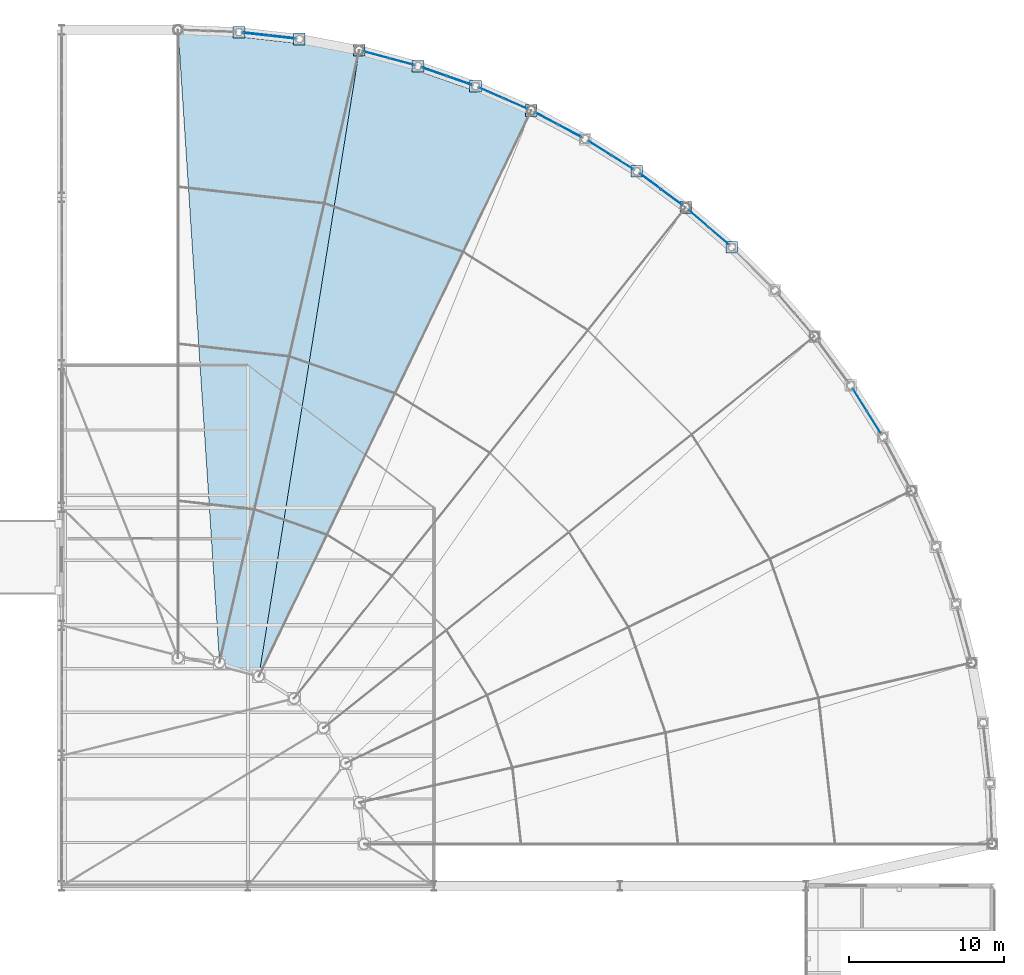
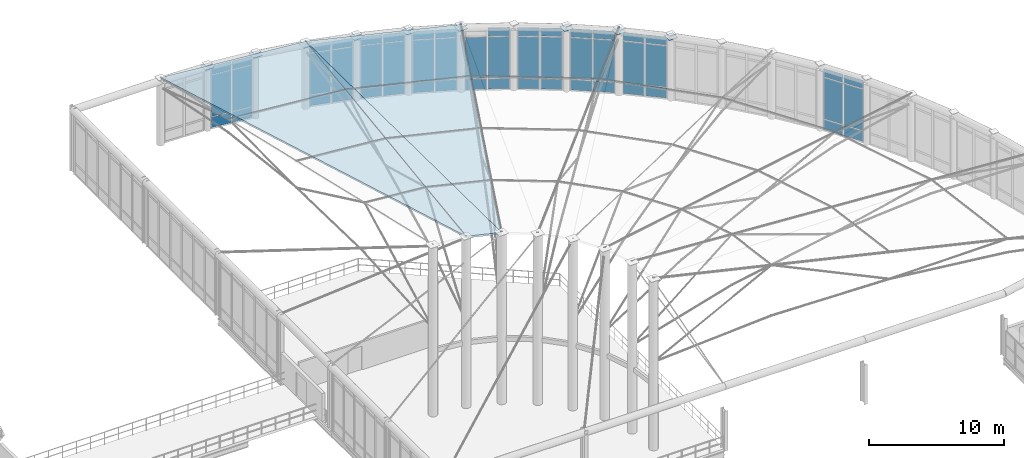
# One storey, part 73 of 101: 62 plates, 3 slabs, 10 elements without a shape of their own.
"""IFC4 building model written with IfcOpenShell, lengths in metres."""

import ifcopenshell
import ifcopenshell.guid

model = None  # the IFC model being written
_history = None  # IfcOwnerHistory: only IFC2X3 demands one
_inside = {}  # id of a spatial element -> (the spatial element, [elements in it])
_under = {}  # id of a project, library or spatial element -> (it, [spatial elements below it])
_declared = {}  # id of a project -> (the project, [libraries it declares])
_typed = {}  # id of a type object -> (the type object, [elements of that type])
_made_of = {}  # id of a material, layer set ... -> (it, [elements and type objects made of it])


def new_model(schema):
    """Start an empty IFC model of exactly this schema.

    Asked for "IFC4X3", IfcOpenShell would pick the latest addendum, in which some entities
    have other attributes; the version numbers below select the first issue.
    IFC2X3 requires an IfcOwnerHistory on every rooted entity: one is made here for all.
    """
    global model, _history
    if schema == "IFC4X3":
        model = ifcopenshell.file(schema_version=(4, 3, 0, 0))
    else:
        model = ifcopenshell.file(schema=schema)
    _inside.clear()
    _under.clear()
    _declared.clear()
    _typed.clear()
    _made_of.clear()
    _history = None
    if model.schema == "IFC2X3":
        org = make("IfcOrganization", Name="unknown")
        user = make(
            "IfcPersonAndOrganization",
            ThePerson=make("IfcPerson", FamilyName="unknown"),
            TheOrganization=org,
        )
        app = make(
            "IfcApplication",
            ApplicationDeveloper=org,
            Version="unknown",
            ApplicationFullName="unknown",
            ApplicationIdentifier="unknown",
        )
        _history = make(
            "IfcOwnerHistory",
            OwningUser=user,
            OwningApplication=app,
            ChangeAction="ADDED",
            CreationDate=0,
        )
    return model


def make(cls, **values):
    """One entity of the class cls with the attributes given. An attribute that is None is left unset."""
    return model.create_entity(
        cls, **{name: value for name, value in values.items() if value is not None}
    )


def rooted(cls, **values):
    """An entity with a GlobalId (a new one), such as an element, a storey or a relation."""
    return make(cls, GlobalId=ifcopenshell.guid.new(), OwnerHistory=_history, **values)


def si_unit(unit_type, name, prefix=None):
    """IfcSIUnit, for example si_unit("LENGTHUNIT", "METRE", prefix="MILLI")."""
    return make("IfcSIUnit", UnitType=unit_type, Prefix=prefix, Name=name)


def assignment(units):
    """IfcUnitAssignment: the units of a project."""
    return None if units is None else make("IfcUnitAssignment", Units=units)


def point(xyz):
    """IfcCartesianPoint."""
    return None if xyz is None else make("IfcCartesianPoint", Coordinates=xyz)


def direction(xyz):
    """IfcDirection."""
    return None if xyz is None else make("IfcDirection", DirectionRatios=xyz)


def frame(location, z_axis=None, x_axis=None):
    """IfcAxis2Placement3D, a coordinate frame: its origin and axes. An axis left out is left unset."""
    return make(
        "IfcAxis2Placement3D",
        Location=point(location),
        Axis=direction(z_axis),
        RefDirection=direction(x_axis),
    )


def frame_2d(location, x_axis=None):
    """IfcAxis2Placement2D, a coordinate frame in the plane: its origin and x axis."""
    return make(
        "IfcAxis2Placement2D", Location=point(location), RefDirection=direction(x_axis)
    )


def origin():
    """The frame at (0, 0, 0) with its axes left unset."""
    return frame((0.0, 0.0, 0.0))


def origin_2d():
    """The frame at (0, 0) in the plane with its x axis left unset."""
    return frame_2d((0.0, 0.0))


def place(relative_to, where):
    """IfcLocalPlacement: puts the frame where relative to a parent placement (None: the world)."""
    return make(
        "IfcLocalPlacement", PlacementRelTo=relative_to, RelativePlacement=where
    )


def context(
    kind, dimensions, precision=None, world=None, true_north=None, identifier=None
):
    """IfcGeometricRepresentationContext, for example the 3D "Model" context."""
    return make(
        "IfcGeometricRepresentationContext",
        ContextIdentifier=identifier,
        ContextType=kind,
        CoordinateSpaceDimension=dimensions,
        Precision=precision,
        WorldCoordinateSystem=world,
        TrueNorth=true_north,
    )


def subcontext(parent, identifier, kind, view, scale=None):
    """IfcGeometricRepresentationSubContext, for example "Body" below "Model"."""
    return make(
        "IfcGeometricRepresentationSubContext",
        ContextIdentifier=identifier,
        ContextType=kind,
        ParentContext=parent,
        TargetScale=scale,
        TargetView=view,
    )


def project(units=None, contexts=None):
    """IfcProject with its units and contexts."""
    return rooted(
        "IfcProject",
        Name="project",
        RepresentationContexts=contexts,
        UnitsInContext=assignment(units),
    )


def spatial(cls, under=None, at=None, **own):
    """A site, building, storey or space (cls), placed at a placement, below another one or the project."""
    s = rooted(cls, ObjectPlacement=at, **own)
    if under is not None:
        _under.setdefault(under.id(), (under, []))[1].append(s)
    return s


def polyline(points):
    """IfcPolyline through the points."""
    return make("IfcPolyline", Points=[point(p) for p in points])


def profile(cls, at=None, kind="AREA", **sizes):
    """A parametric profile (cls). Its sizes go by their IFC names, for example OverallWidth=200.0."""
    return make(cls, ProfileType=kind, Position=at, **sizes)


def rectangle(**sizes):
    """IfcRectangleProfileDef."""
    return profile("IfcRectangleProfileDef", **sizes)


def outline(outer, holes=None, kind="AREA"):
    """IfcArbitraryClosedProfileDef: a profile drawn as a closed curve; with holes, ...WithVoids."""
    if holes is None:
        return make("IfcArbitraryClosedProfileDef", ProfileType=kind, OuterCurve=outer)
    return make(
        "IfcArbitraryProfileDefWithVoids",
        ProfileType=kind,
        OuterCurve=outer,
        InnerCurves=holes,
    )


def extrude(swept, where, along, depth):
    """IfcExtrudedAreaSolid: the profile swept, set in the frame where, extruded along a direction by depth."""
    return make(
        "IfcExtrudedAreaSolid",
        SweptArea=swept,
        Position=where,
        ExtrudedDirection=direction(along),
        Depth=depth,
    )


def shape(context_of_items, identifier, shape_type, items):
    """IfcShapeRepresentation: the items that make up one representation, for example the "Body"."""
    return make(
        "IfcShapeRepresentation",
        ContextOfItems=context_of_items,
        RepresentationIdentifier=identifier,
        RepresentationType=shape_type,
        Items=items,
    )


def material(Name=None, Category=None):
    """IfcMaterial."""
    return make("IfcMaterial", Name=Name, Category=Category)


def layer(
    of_material, thickness, ventilated=None, Name=None, Category=None, Priority=None
):
    """IfcMaterialLayer: one layer of a wall or slab, of a material (None: an air gap)."""
    return make(
        "IfcMaterialLayer",
        Material=of_material,
        LayerThickness=thickness,
        IsVentilated=ventilated,
        Name=Name,
        Category=Category,
        Priority=Priority,
    )


def layer_set(layers, Name=None):
    """IfcMaterialLayerSet."""
    return make("IfcMaterialLayerSet", MaterialLayers=layers, LayerSetName=Name)


def made_of(thing, what):
    """Note that an element or type object is made of a material, layer set ...; save() writes the relation."""
    if what is not None:
        _made_of.setdefault(what.id(), (what, []))[1].append(thing)
    return thing


def type_object(cls, material=None, **own):
    """A type object (cls), such as IfcWallType, which elements share."""
    return made_of(rooted(cls, **own), material)


def element(
    cls,
    number,
    at=None,
    inside=None,
    cuts=None,
    type_object=None,
    material=None,
    context=None,
    identifier="Body",
    shape_type=None,
    held_by="IfcProductDefinitionShape",
    body=None,
    shapes=None,
    **own,
):
    """One element of the class cls, such as IfcWall. Its Tag is "e" and its number.

    at: its placement. inside: the storey or other place that contains it. cuts: it is an
    opening in that element (IfcRelVoidsElement). A single representation is given by context,
    identifier, shape_type and body (its items); several are given by shapes. held_by: the class
    of the entity that holds the representations. save() writes the other relations.
    """
    e = rooted(cls, Tag="e%d" % number, ObjectPlacement=at, **own)
    if body is not None:
        shapes = [shape(context, identifier, shape_type, body)]
    if shapes is not None:
        e.Representation = make(held_by, Representations=shapes)
    if inside is not None:
        _inside.setdefault(inside.id(), (inside, []))[1].append(e)
    if cuts is not None:
        rooted(
            "IfcRelVoidsElement", RelatingBuildingElement=cuts, RelatedOpeningElement=e
        )
    if type_object is not None:
        _typed.setdefault(type_object.id(), (type_object, []))[1].append(e)
    return made_of(e, material)


def aggregate(whole, parts):
    """IfcRelAggregates: a whole, such as a stair, and the parts it consists of."""
    return rooted("IfcRelAggregates", RelatingObject=whole, RelatedObjects=parts)


def save(model, path):
    """Write the relations noted so far, then the file.

    IfcRelAggregates (storeys below a building ...), IfcRelContainedInSpatialStructure (elements
    in a storey), IfcRelDefinesByType, IfcRelAssociatesMaterial and IfcRelDeclares: one each for
    every whole, place, type object, material and project.
    """
    for whole, parts in _under.values():
        aggregate(whole, parts)
    for where, things in _inside.values():
        rooted(
            "IfcRelContainedInSpatialStructure",
            RelatedElements=things,
            RelatingStructure=where,
        )
    for kind, things in _typed.values():
        rooted("IfcRelDefinesByType", RelatedObjects=things, RelatingType=kind)
    for what, things in _made_of.values():
        rooted("IfcRelAssociatesMaterial", RelatedObjects=things, RelatingMaterial=what)
    for by, libraries in _declared.values():
        rooted("IfcRelDeclares", RelatingContext=by, RelatedDefinitions=libraries)
    model.write(path)


model = new_model("IFC4")

# Units and contexts
model_context = context("Model", 3, precision=1e-05, world=origin(), true_north=direction((0.0, 1.0)))
body_context = subcontext(model_context, "Body", "Model", "MODEL_VIEW")
ifc_project = project(units=[si_unit("LENGTHUNIT", "METRE"), si_unit("AREAUNIT", "SQUARE_METRE"), si_unit("VOLUMEUNIT", "CUBIC_METRE"), si_unit("PLANEANGLEUNIT", "RADIAN"), si_unit("MASSUNIT", "GRAM", prefix="KILO"), si_unit("THERMODYNAMICTEMPERATUREUNIT", "KELVIN"), si_unit("POWERUNIT", "WATT")], contexts=[model_context])

# Site, building, storey
site_placement = place(None, origin())
site = spatial("IfcSite", under=ifc_project, at=site_placement, CompositionType="ELEMENT")
building_placement = place(site_placement, origin())
building = spatial("IfcBuilding", under=site, at=building_placement, Name="Tembeka Court Mobility Hub", CompositionType="ELEMENT")
storey_placement = place(building_placement, frame((0.0, 0.0, 5.39990234375)))
storey = spatial("IfcBuildingStorey", under=building, at=storey_placement, Name="L01", CompositionType="ELEMENT", Elevation=5.39990234375)

# Curtain wall, plates
ifc_material_1 = material(Name="Anodised aluminium 6063-T6", Category="aluminium")
ifc_layer_1 = layer(ifc_material_1, 0.199951171875)
ifc_layer_set_1 = layer_set([ifc_layer_1], Name="Anodised aluminium 6063-T6")
curtain_wall_type = type_object("IfcCurtainWallType", Name="CW-SYS25", PredefinedType="USERDEFINED", material=ifc_layer_set_1)
curtain_wall_1_placement = place(storey_placement, origin())
curtain_wall_1 = element("IfcCurtainWall", 1, at=curtain_wall_1_placement, inside=storey, type_object=curtain_wall_type, Name="Unitised curtain wall CW25 (CW-L01-058)", ObjectType="UNITISED GLAZING", PredefinedType="USERDEFINED")
ifc_material_2 = material(Name="Laminated solar-control low-E glass", Category="glass")
ifc_layer_2 = layer(ifc_material_2, 0.028076171875)
ifc_layer_set_2 = layer_set([ifc_layer_2], Name="Laminated solar-control low-E glass")
plate_type_1 = type_object("IfcPlateType", Name="PL-CW01", PredefinedType="CURTAIN_PANEL", material=ifc_layer_set_2)
plate_1_placement = place(storey_placement, frame((168.775634765625, 93.489990234375, 0.0751953125), z_axis=(0.0, 0.0, 1.0), x_axis=(-0.532057570744, 0.846708179607, 0.0)))
plate_1 = element("IfcPlate", 2, at=plate_1_placement, type_object=plate_type_1, Name="CW25 panel 1.1", PredefinedType="CURTAIN_PANEL", context=body_context, shape_type="SweptSolid", body=[
    extrude(rectangle(XDim=1.630615234375, YDim=0.028076171875, at=origin_2d()), origin(), (0.0, 0.0, 1.0), 0.9375),
])
plate_2_placement = place(storey_placement, frame((168.775634765625, 93.489990234375, 1.087646484375), z_axis=(0.0, 0.0, 1.0), x_axis=(-0.532057570744, 0.846708179607, 0.0)))
plate_2 = element("IfcPlate", 3, at=plate_2_placement, type_object=plate_type_1, Name="CW25 panel 1.2", PredefinedType="CURTAIN_PANEL", context=body_context, shape_type="SweptSolid", body=[
    extrude(rectangle(XDim=1.630615234375, YDim=0.028076171875, at=origin_2d()), origin(), (0.0, 0.0, 1.0), 3.72509765625),
])
plate_3_placement = place(storey_placement, frame((168.775634765625, 93.489990234375, 4.8876953125), z_axis=(0.0, 0.0, 1.0), x_axis=(-0.532057570744, 0.846708179607, 0.0)))
plate_3 = element("IfcPlate", 4, at=plate_3_placement, type_object=plate_type_1, Name="CW25 panel 1.3", PredefinedType="CURTAIN_PANEL", context=body_context, shape_type="SweptSolid", body=[
    extrude(rectangle(XDim=1.630615234375, YDim=0.028076171875, at=origin_2d()), origin(), (0.0, 0.0, 1.0), 0.737548828125),
])
plate_4_placement = place(storey_placement, frame((167.8681640625, 94.93408203125, 0.0751953125), z_axis=(0.0, 0.0, 1.0), x_axis=(-0.532057570744, 0.846708179607, 0.0)))
plate_4 = element("IfcPlate", 5, at=plate_4_placement, type_object=plate_type_1, Name="CW25 panel 2.1", PredefinedType="CURTAIN_PANEL", context=body_context, shape_type="SweptSolid", body=[
    extrude(rectangle(XDim=1.630615234375, YDim=0.028076171875, at=origin_2d()), origin(), (0.0, 0.0, 1.0), 0.9375),
])
plate_5_placement = place(storey_placement, frame((167.8681640625, 94.93408203125, 1.087646484375), z_axis=(0.0, 0.0, 1.0), x_axis=(-0.532057570744, 0.846708179607, 0.0)))
plate_5 = element("IfcPlate", 6, at=plate_5_placement, type_object=plate_type_1, Name="CW25 panel 2.2", PredefinedType="CURTAIN_PANEL", context=body_context, shape_type="SweptSolid", body=[
    extrude(rectangle(XDim=1.630615234375, YDim=0.028076171875, at=origin_2d()), origin(), (0.0, 0.0, 1.0), 3.72509765625),
])
plate_6_placement = place(storey_placement, frame((167.8681640625, 94.93408203125, 4.8876953125), z_axis=(0.0, 0.0, 1.0), x_axis=(-0.532057570744, 0.846708179607, 0.0)))
plate_6 = element("IfcPlate", 7, at=plate_6_placement, type_object=plate_type_1, Name="CW25 panel 2.3", PredefinedType="CURTAIN_PANEL", context=body_context, shape_type="SweptSolid", body=[
    extrude(rectangle(XDim=1.630615234375, YDim=0.028076171875, at=origin_2d()), origin(), (0.0, 0.0, 1.0), 0.737548828125),
])
aggregate(curtain_wall_1, [plate_1, plate_2, plate_3, plate_4, plate_5, plate_6])

curtain_wall_2_placement = place(storey_placement, origin())
curtain_wall_2 = element("IfcCurtainWall", 8, at=curtain_wall_2_placement, inside=storey, type_object=curtain_wall_type, Name="Unitised curtain wall CW25 (CW-L01-066)", ObjectType="UNITISED GLAZING", PredefinedType="USERDEFINED")
plate_7_placement = place(storey_placement, frame((158.767578125, 105.509521484375, 0.0751953125), z_axis=(0.0, 0.0, 1.0), x_axis=(-0.757955131428, 0.652306690707, 0.0)))
plate_7 = element("IfcPlate", 9, at=plate_7_placement, type_object=plate_type_1, Name="CW25 panel 1.1", PredefinedType="CURTAIN_PANEL", context=body_context, shape_type="SweptSolid", body=[
    extrude(rectangle(XDim=1.630615234375, YDim=0.028076171875, at=origin_2d()), origin(), (0.0, 0.0, 1.0), 0.9375),
])
plate_8_placement = place(storey_placement, frame((158.767578125, 105.509521484375, 1.087646484375), z_axis=(0.0, 0.0, 1.0), x_axis=(-0.757955131428, 0.652306690707, 0.0)))
plate_8 = element("IfcPlate", 10, at=plate_8_placement, type_object=plate_type_1, Name="CW25 panel 1.2", PredefinedType="CURTAIN_PANEL", context=body_context, shape_type="SweptSolid", body=[
    extrude(rectangle(XDim=1.630615234375, YDim=0.028076171875, at=origin_2d()), origin(), (0.0, 0.0, 1.0), 3.72509765625),
])
plate_9_placement = place(storey_placement, frame((158.767578125, 105.509521484375, 4.8876953125), z_axis=(0.0, 0.0, 1.0), x_axis=(-0.757955131428, 0.652306690707, 0.0)))
plate_9 = element("IfcPlate", 11, at=plate_9_placement, type_object=plate_type_1, Name="CW25 panel 1.3", PredefinedType="CURTAIN_PANEL", context=body_context, shape_type="SweptSolid", body=[
    extrude(rectangle(XDim=1.630615234375, YDim=0.028076171875, at=origin_2d()), origin(), (0.0, 0.0, 1.0), 0.737548828125),
])
plate_10_placement = place(storey_placement, frame((157.474853515625, 106.6220703125, 0.0751953125), z_axis=(0.0, 0.0, 1.0), x_axis=(-0.757955131428, 0.652306690707, 0.0)))
plate_10 = element("IfcPlate", 12, at=plate_10_placement, type_object=plate_type_1, Name="CW25 panel 2.1", PredefinedType="CURTAIN_PANEL", context=body_context, shape_type="SweptSolid", body=[
    extrude(rectangle(XDim=1.630615234375, YDim=0.028076171875, at=origin_2d()), origin(), (0.0, 0.0, 1.0), 0.9375),
])
plate_11_placement = place(storey_placement, frame((157.474853515625, 106.6220703125, 1.087646484375), z_axis=(0.0, 0.0, 1.0), x_axis=(-0.757955131428, 0.652306690707, 0.0)))
plate_11 = element("IfcPlate", 13, at=plate_11_placement, type_object=plate_type_1, Name="CW25 panel 2.2", PredefinedType="CURTAIN_PANEL", context=body_context, shape_type="SweptSolid", body=[
    extrude(rectangle(XDim=1.630615234375, YDim=0.028076171875, at=origin_2d()), origin(), (0.0, 0.0, 1.0), 3.72509765625),
])
plate_12_placement = place(storey_placement, frame((157.474853515625, 106.6220703125, 4.8876953125), z_axis=(0.0, 0.0, 1.0), x_axis=(-0.757955131428, 0.652306690707, 0.0)))
plate_12 = element("IfcPlate", 14, at=plate_12_placement, type_object=plate_type_1, Name="CW25 panel 2.3", PredefinedType="CURTAIN_PANEL", context=body_context, shape_type="SweptSolid", body=[
    extrude(rectangle(XDim=1.630615234375, YDim=0.028076171875, at=origin_2d()), origin(), (0.0, 0.0, 1.0), 0.737548828125),
])
aggregate(curtain_wall_2, [plate_7, plate_8, plate_9, plate_10, plate_11, plate_12])

curtain_wall_3_placement = place(storey_placement, origin())
curtain_wall_3 = element("IfcCurtainWall", 15, at=curtain_wall_3_placement, inside=storey, type_object=curtain_wall_type, Name="Unitised curtain wall CW25 (CW-L01-070)", ObjectType="UNITISED GLAZING", PredefinedType="USERDEFINED")
plate_13_placement = place(storey_placement, frame((152.5341796875, 110.26806640625, 0.0751953125), z_axis=(0.0, 0.0, 1.0), x_axis=(-0.846708179607, 0.532057570744, 0.0)))
plate_13 = element("IfcPlate", 16, at=plate_13_placement, type_object=plate_type_1, Name="CW25 panel 1.1", PredefinedType="CURTAIN_PANEL", context=body_context, shape_type="SweptSolid", body=[
    extrude(rectangle(XDim=1.630615234375, YDim=0.028076171875, at=origin_2d()), origin(), (0.0, 0.0, 1.0), 0.9375),
])
plate_14_placement = place(storey_placement, frame((152.5341796875, 110.26806640625, 1.087646484375), z_axis=(0.0, 0.0, 1.0), x_axis=(-0.846708179607, 0.532057570744, 0.0)))
plate_14 = element("IfcPlate", 17, at=plate_14_placement, type_object=plate_type_1, Name="CW25 panel 1.2", PredefinedType="CURTAIN_PANEL", context=body_context, shape_type="SweptSolid", body=[
    extrude(rectangle(XDim=1.630615234375, YDim=0.028076171875, at=origin_2d()), origin(), (0.0, 0.0, 1.0), 3.72509765625),
])
plate_15_placement = place(storey_placement, frame((152.5341796875, 110.26806640625, 4.8876953125), z_axis=(0.0, 0.0, 1.0), x_axis=(-0.846708179607, 0.532057570744, 0.0)))
plate_15 = element("IfcPlate", 18, at=plate_15_placement, type_object=plate_type_1, Name="CW25 panel 1.3", PredefinedType="CURTAIN_PANEL", context=body_context, shape_type="SweptSolid", body=[
    extrude(rectangle(XDim=1.630615234375, YDim=0.028076171875, at=origin_2d()), origin(), (0.0, 0.0, 1.0), 0.737548828125),
])
plate_16_placement = place(storey_placement, frame((151.090087890625, 111.175537109375, 0.0751953125), z_axis=(0.0, 0.0, 1.0), x_axis=(-0.846708179607, 0.532057570744, 0.0)))
plate_16 = element("IfcPlate", 19, at=plate_16_placement, type_object=plate_type_1, Name="CW25 panel 2.1", PredefinedType="CURTAIN_PANEL", context=body_context, shape_type="SweptSolid", body=[
    extrude(rectangle(XDim=1.630615234375, YDim=0.028076171875, at=origin_2d()), origin(), (0.0, 0.0, 1.0), 0.9375),
])
plate_17_placement = place(storey_placement, frame((151.090087890625, 111.175537109375, 1.087646484375), z_axis=(0.0, 0.0, 1.0), x_axis=(-0.846708179607, 0.532057570744, 0.0)))
plate_17 = element("IfcPlate", 20, at=plate_17_placement, type_object=plate_type_1, Name="CW25 panel 2.2", PredefinedType="CURTAIN_PANEL", context=body_context, shape_type="SweptSolid", body=[
    extrude(rectangle(XDim=1.630615234375, YDim=0.028076171875, at=origin_2d()), origin(), (0.0, 0.0, 1.0), 3.72509765625),
])
plate_18_placement = place(storey_placement, frame((151.090087890625, 111.175537109375, 4.8876953125), z_axis=(0.0, 0.0, 1.0), x_axis=(-0.846708179607, 0.532057570744, 0.0)))
plate_18 = element("IfcPlate", 21, at=plate_18_placement, type_object=plate_type_1, Name="CW25 panel 2.3", PredefinedType="CURTAIN_PANEL", context=body_context, shape_type="SweptSolid", body=[
    extrude(rectangle(XDim=1.630615234375, YDim=0.028076171875, at=origin_2d()), origin(), (0.0, 0.0, 1.0), 0.737548828125),
])
aggregate(curtain_wall_3, [plate_13, plate_14, plate_15, plate_16, plate_17, plate_18])

curtain_wall_4_placement = place(storey_placement, origin())
curtain_wall_4 = element("IfcCurtainWall", 22, at=curtain_wall_4_placement, inside=storey, type_object=curtain_wall_type, Name="Unitised curtain wall CW25 (CW-L01-074)", ObjectType="UNITISED GLAZING", PredefinedType="USERDEFINED")
plate_19_placement = place(storey_placement, frame((145.661376953125, 114.044921875, 0.0751953125), z_axis=(0.0, 0.0, 1.0), x_axis=(-0.916572258286, 0.399869097757, 0.0)))
plate_19 = element("IfcPlate", 23, at=plate_19_placement, type_object=plate_type_1, Name="CW25 panel 1.1", PredefinedType="CURTAIN_PANEL", context=body_context, shape_type="SweptSolid", body=[
    extrude(rectangle(XDim=1.630615234375, YDim=0.028076171875, at=origin_2d()), origin(), (0.0, 0.0, 1.0), 0.9375),
])
plate_20_placement = place(storey_placement, frame((145.661376953125, 114.044921875, 1.087646484375), z_axis=(0.0, 0.0, 1.0), x_axis=(-0.916572258286, 0.399869097757, 0.0)))
plate_20 = element("IfcPlate", 24, at=plate_20_placement, type_object=plate_type_1, Name="CW25 panel 1.2", PredefinedType="CURTAIN_PANEL", context=body_context, shape_type="SweptSolid", body=[
    extrude(rectangle(XDim=1.630615234375, YDim=0.028076171875, at=origin_2d()), origin(), (0.0, 0.0, 1.0), 3.72509765625),
])
plate_21_placement = place(storey_placement, frame((145.661376953125, 114.044921875, 4.8876953125), z_axis=(0.0, 0.0, 1.0), x_axis=(-0.916572258286, 0.399869097757, 0.0)))
plate_21 = element("IfcPlate", 25, at=plate_21_placement, type_object=plate_type_1, Name="CW25 panel 1.3", PredefinedType="CURTAIN_PANEL", context=body_context, shape_type="SweptSolid", body=[
    extrude(rectangle(XDim=1.630615234375, YDim=0.028076171875, at=origin_2d()), origin(), (0.0, 0.0, 1.0), 0.737548828125),
])
plate_22_placement = place(storey_placement, frame((144.097900390625, 114.726806640625, 0.0751953125), z_axis=(0.0, 0.0, 1.0), x_axis=(-0.916572258286, 0.399869097757, 0.0)))
plate_22 = element("IfcPlate", 26, at=plate_22_placement, type_object=plate_type_1, Name="CW25 panel 2.1", PredefinedType="CURTAIN_PANEL", context=body_context, shape_type="SweptSolid", body=[
    extrude(rectangle(XDim=1.630615234375, YDim=0.028076171875, at=origin_2d()), origin(), (0.0, 0.0, 1.0), 0.9375),
])
plate_23_placement = place(storey_placement, frame((144.097900390625, 114.726806640625, 1.087646484375), z_axis=(0.0, 0.0, 1.0), x_axis=(-0.916572258286, 0.399869097757, 0.0)))
plate_23 = element("IfcPlate", 27, at=plate_23_placement, type_object=plate_type_1, Name="CW25 panel 2.2", PredefinedType="CURTAIN_PANEL", context=body_context, shape_type="SweptSolid", body=[
    extrude(rectangle(XDim=1.630615234375, YDim=0.028076171875, at=origin_2d()), origin(), (0.0, 0.0, 1.0), 3.72509765625),
])
plate_24_placement = place(storey_placement, frame((144.097900390625, 114.726806640625, 4.8876953125), z_axis=(0.0, 0.0, 1.0), x_axis=(-0.916572258286, 0.399869097757, 0.0)))
plate_24 = element("IfcPlate", 28, at=plate_24_placement, type_object=plate_type_1, Name="CW25 panel 2.3", PredefinedType="CURTAIN_PANEL", context=body_context, shape_type="SweptSolid", body=[
    extrude(rectangle(XDim=1.630615234375, YDim=0.028076171875, at=origin_2d()), origin(), (0.0, 0.0, 1.0), 0.737548828125),
])
aggregate(curtain_wall_4, [plate_19, plate_20, plate_21, plate_22, plate_23, plate_24])

curtain_wall_5_placement = place(storey_placement, origin())
curtain_wall_5 = element("IfcCurtainWall", 29, at=curtain_wall_5_placement, inside=storey, type_object=curtain_wall_type, Name="Unitised curtain wall CW25 (CW-L01-078)", ObjectType="UNITISED GLAZING", PredefinedType="USERDEFINED")
plate_25_placement = place(storey_placement, frame((138.30224609375, 116.7548828125, 0.0751953125), z_axis=(0.0, 0.0, 1.0), x_axis=(-0.96592333891, 0.258828327951, 0.0)))
plate_25 = element("IfcPlate", 30, at=plate_25_placement, type_object=plate_type_1, Name="CW25 panel 1.1", PredefinedType="CURTAIN_PANEL", context=body_context, shape_type="SweptSolid", body=[
    extrude(rectangle(XDim=1.630615234375, YDim=0.028076171875, at=origin_2d()), origin(), (0.0, 0.0, 1.0), 0.9375),
])
plate_26_placement = place(storey_placement, frame((138.30224609375, 116.7548828125, 1.087646484375), z_axis=(0.0, 0.0, 1.0), x_axis=(-0.96592333891, 0.258828327951, 0.0)))
plate_26 = element("IfcPlate", 31, at=plate_26_placement, type_object=plate_type_1, Name="CW25 panel 1.2", PredefinedType="CURTAIN_PANEL", context=body_context, shape_type="SweptSolid", body=[
    extrude(rectangle(XDim=1.630615234375, YDim=0.028076171875, at=origin_2d()), origin(), (0.0, 0.0, 1.0), 3.72509765625),
])
plate_27_placement = place(storey_placement, frame((138.30224609375, 116.7548828125, 4.8876953125), z_axis=(0.0, 0.0, 1.0), x_axis=(-0.96592333891, 0.258828327951, 0.0)))
plate_27 = element("IfcPlate", 32, at=plate_27_placement, type_object=plate_type_1, Name="CW25 panel 1.3", PredefinedType="CURTAIN_PANEL", context=body_context, shape_type="SweptSolid", body=[
    extrude(rectangle(XDim=1.630615234375, YDim=0.028076171875, at=origin_2d()), origin(), (0.0, 0.0, 1.0), 0.737548828125),
])
plate_28_placement = place(storey_placement, frame((136.65478515625, 117.1962890625, 0.0751953125), z_axis=(0.0, 0.0, 1.0), x_axis=(-0.96592333891, 0.258828327951, 0.0)))
plate_28 = element("IfcPlate", 33, at=plate_28_placement, type_object=plate_type_1, Name="CW25 panel 2.1", PredefinedType="CURTAIN_PANEL", context=body_context, shape_type="SweptSolid", body=[
    extrude(rectangle(XDim=1.630615234375, YDim=0.028076171875, at=origin_2d()), origin(), (0.0, 0.0, 1.0), 0.9375),
])
plate_29_placement = place(storey_placement, frame((136.65478515625, 117.1962890625, 1.087646484375), z_axis=(0.0, 0.0, 1.0), x_axis=(-0.96592333891, 0.258828327951, 0.0)))
plate_29 = element("IfcPlate", 34, at=plate_29_placement, type_object=plate_type_1, Name="CW25 panel 2.2", PredefinedType="CURTAIN_PANEL", context=body_context, shape_type="SweptSolid", body=[
    extrude(rectangle(XDim=1.630615234375, YDim=0.028076171875, at=origin_2d()), origin(), (0.0, 0.0, 1.0), 3.72509765625),
])
plate_30_placement = place(storey_placement, frame((136.65478515625, 117.1962890625, 4.8876953125), z_axis=(0.0, 0.0, 1.0), x_axis=(-0.96592333891, 0.258828327951, 0.0)))
plate_30 = element("IfcPlate", 35, at=plate_30_placement, type_object=plate_type_1, Name="CW25 panel 2.3", PredefinedType="CURTAIN_PANEL", context=body_context, shape_type="SweptSolid", body=[
    extrude(rectangle(XDim=1.630615234375, YDim=0.028076171875, at=origin_2d()), origin(), (0.0, 0.0, 1.0), 0.737548828125),
])
aggregate(curtain_wall_5, [plate_25, plate_26, plate_27, plate_28, plate_29, plate_30])

curtain_wall_6_placement = place(storey_placement, origin())
curtain_wall_6 = element("IfcCurtainWall", 36, at=curtain_wall_6_placement, inside=storey, type_object=curtain_wall_type, Name="Unitised curtain wall CW25 (CW-L01-068)", ObjectType="UNITISED GLAZING", PredefinedType="USERDEFINED")
ifc_material_3 = material(Name="Insulated aluminium spandrel panel", Category="aluminium")
ifc_layer_3 = layer(ifc_material_3, 0.052001953125)
ifc_layer_set_3 = layer_set([ifc_layer_3], Name="Insulated aluminium spandrel panel")
plate_type_2 = type_object("IfcPlateType", Name="PL-CW02", PredefinedType="CURTAIN_PANEL", material=ifc_layer_set_3)
plate_31_placement = place(storey_placement, frame((155.739990234375, 108.00537109375, 0.0751953125), z_axis=(0.0, 0.0, 1.0), x_axis=(-0.804599206298, 0.593818252688, 0.0)))
plate_31 = element("IfcPlate", 37, at=plate_31_placement, type_object=plate_type_2, Name="CW25 panel 1.1", PredefinedType="CURTAIN_PANEL", context=body_context, shape_type="SweptSolid", body=[
    extrude(rectangle(XDim=1.630615234375, YDim=0.052001953125, at=origin_2d()), origin(), (0.0, 0.0, 1.0), 0.9375),
])
plate_32_placement = place(storey_placement, frame((155.739990234375, 108.00537109375, 1.087646484375), z_axis=(0.0, 0.0, 1.0), x_axis=(-0.804599206298, 0.593818252688, 0.0)))
plate_32 = element("IfcPlate", 38, at=plate_32_placement, type_object=plate_type_2, Name="CW25 panel 1.2", PredefinedType="CURTAIN_PANEL", context=body_context, shape_type="SweptSolid", body=[
    extrude(rectangle(XDim=1.630615234375, YDim=0.052001953125, at=origin_2d()), origin(), (0.0, 0.0, 1.0), 3.72509765625),
])
plate_33_placement = place(storey_placement, frame((155.739990234375, 108.00537109375, 4.8876953125), z_axis=(0.0, 0.0, 1.0), x_axis=(-0.804599206298, 0.593818252688, 0.0)))
plate_33 = element("IfcPlate", 39, at=plate_33_placement, type_object=plate_type_2, Name="CW25 panel 1.3", PredefinedType="CURTAIN_PANEL", context=body_context, shape_type="SweptSolid", body=[
    extrude(rectangle(XDim=1.630615234375, YDim=0.052001953125, at=origin_2d()), origin(), (0.0, 0.0, 1.0), 0.737548828125),
])
plate_34_placement = place(storey_placement, frame((154.36767578125, 109.018310546875, 0.0751953125), z_axis=(0.0, 0.0, 1.0), x_axis=(-0.804599206298, 0.593818252688, 0.0)))
plate_34 = element("IfcPlate", 40, at=plate_34_placement, type_object=plate_type_2, Name="CW25 panel 2.1", PredefinedType="CURTAIN_PANEL", context=body_context, shape_type="SweptSolid", body=[
    extrude(rectangle(XDim=1.630615234375, YDim=0.052001953125, at=origin_2d()), origin(), (0.0, 0.0, 1.0), 0.9375),
])
plate_35_placement = place(storey_placement, frame((154.36767578125, 109.018310546875, 1.087646484375), z_axis=(0.0, 0.0, 1.0), x_axis=(-0.804599206298, 0.593818252688, 0.0)))
plate_35 = element("IfcPlate", 41, at=plate_35_placement, type_object=plate_type_2, Name="CW25 panel 2.2", PredefinedType="CURTAIN_PANEL", context=body_context, shape_type="SweptSolid", body=[
    extrude(rectangle(XDim=1.630615234375, YDim=0.052001953125, at=origin_2d()), origin(), (0.0, 0.0, 1.0), 3.72509765625),
])
plate_36_placement = place(storey_placement, frame((154.36767578125, 109.018310546875, 4.8876953125), z_axis=(0.0, 0.0, 1.0), x_axis=(-0.804599206298, 0.593818252688, 0.0)))
plate_36 = element("IfcPlate", 42, at=plate_36_placement, type_object=plate_type_2, Name="CW25 panel 2.3", PredefinedType="CURTAIN_PANEL", context=body_context, shape_type="SweptSolid", body=[
    extrude(rectangle(XDim=1.630615234375, YDim=0.052001953125, at=origin_2d()), origin(), (0.0, 0.0, 1.0), 0.737548828125),
])
aggregate(curtain_wall_6, [plate_31, plate_32, plate_33, plate_34, plate_35, plate_36])

curtain_wall_7_placement = place(storey_placement, origin())
curtain_wall_7 = element("IfcCurtainWall", 43, at=curtain_wall_7_placement, inside=storey, type_object=curtain_wall_type, Name="Unitised curtain wall CW25 (CW-L01-072)", ObjectType="UNITISED GLAZING", PredefinedType="USERDEFINED")
plate_37_placement = place(storey_placement, frame((149.16845703125, 112.28515625, 0.0751953125), z_axis=(0.0, 0.0, 1.0), x_axis=(-0.884107976202, 0.467282662225, 0.0)))
plate_37 = element("IfcPlate", 44, at=plate_37_placement, type_object=plate_type_2, Name="CW25 panel 1.1", PredefinedType="CURTAIN_PANEL", context=body_context, shape_type="SweptSolid", body=[
    extrude(rectangle(XDim=1.630615234375, YDim=0.052001953125, at=origin_2d()), origin(), (0.0, 0.0, 1.0), 0.9375),
])
plate_38_placement = place(storey_placement, frame((149.16845703125, 112.28515625, 1.087646484375), z_axis=(0.0, 0.0, 1.0), x_axis=(-0.884107976202, 0.467282662225, 0.0)))
plate_38 = element("IfcPlate", 45, at=plate_38_placement, type_object=plate_type_2, Name="CW25 panel 1.2", PredefinedType="CURTAIN_PANEL", context=body_context, shape_type="SweptSolid", body=[
    extrude(rectangle(XDim=1.630615234375, YDim=0.052001953125, at=origin_2d()), origin(), (0.0, 0.0, 1.0), 3.72509765625),
])
plate_39_placement = place(storey_placement, frame((149.16845703125, 112.28515625, 4.8876953125), z_axis=(0.0, 0.0, 1.0), x_axis=(-0.884107976202, 0.467282662225, 0.0)))
plate_39 = element("IfcPlate", 46, at=plate_39_placement, type_object=plate_type_2, Name="CW25 panel 1.3", PredefinedType="CURTAIN_PANEL", context=body_context, shape_type="SweptSolid", body=[
    extrude(rectangle(XDim=1.630615234375, YDim=0.052001953125, at=origin_2d()), origin(), (0.0, 0.0, 1.0), 0.737548828125),
])
plate_40_placement = place(storey_placement, frame((147.660400390625, 113.08203125, 0.0751953125), z_axis=(0.0, 0.0, 1.0), x_axis=(-0.884107976202, 0.467282662225, 0.0)))
plate_40 = element("IfcPlate", 47, at=plate_40_placement, type_object=plate_type_2, Name="CW25 panel 2.1", PredefinedType="CURTAIN_PANEL", context=body_context, shape_type="SweptSolid", body=[
    extrude(rectangle(XDim=1.630615234375, YDim=0.052001953125, at=origin_2d()), origin(), (0.0, 0.0, 1.0), 0.9375),
])
plate_41_placement = place(storey_placement, frame((147.660400390625, 113.08203125, 1.087646484375), z_axis=(0.0, 0.0, 1.0), x_axis=(-0.884107976202, 0.467282662225, 0.0)))
plate_41 = element("IfcPlate", 48, at=plate_41_placement, type_object=plate_type_2, Name="CW25 panel 2.2", PredefinedType="CURTAIN_PANEL", context=body_context, shape_type="SweptSolid", body=[
    extrude(rectangle(XDim=1.630615234375, YDim=0.052001953125, at=origin_2d()), origin(), (0.0, 0.0, 1.0), 3.72509765625),
])
aggregate(curtain_wall_7, [plate_37, plate_38, plate_39, plate_40, plate_41])

curtain_wall_8_placement = place(storey_placement, origin())
curtain_wall_8 = element("IfcCurtainWall", 49, at=curtain_wall_8_placement, inside=storey, type_object=curtain_wall_type, Name="Unitised curtain wall CW25 (CW-L01-076)", ObjectType="UNITISED GLAZING", PredefinedType="USERDEFINED")
plate_42_placement = place(storey_placement, frame((142.032470703125, 115.53759765625, 0.0751953125), z_axis=(0.0, 0.0, 1.0), x_axis=(-0.943888763508, 0.330263534352, 0.0)))
plate_42 = element("IfcPlate", 50, at=plate_42_placement, type_object=plate_type_2, Name="CW25 panel 1.1", PredefinedType="CURTAIN_PANEL", context=body_context, shape_type="SweptSolid", body=[
    extrude(rectangle(XDim=1.630615234375, YDim=0.052001953125, at=origin_2d()), origin(), (0.0, 0.0, 1.0), 0.9375),
])
plate_43_placement = place(storey_placement, frame((142.032470703125, 115.53759765625, 1.087646484375), z_axis=(0.0, 0.0, 1.0), x_axis=(-0.943888763508, 0.330263534352, 0.0)))
plate_43 = element("IfcPlate", 51, at=plate_43_placement, type_object=plate_type_2, Name="CW25 panel 1.2", PredefinedType="CURTAIN_PANEL", context=body_context, shape_type="SweptSolid", body=[
    extrude(rectangle(XDim=1.630615234375, YDim=0.052001953125, at=origin_2d()), origin(), (0.0, 0.0, 1.0), 3.72509765625),
])
plate_44_placement = place(storey_placement, frame((142.032470703125, 115.53759765625, 4.8876953125), z_axis=(0.0, 0.0, 1.0), x_axis=(-0.943888763508, 0.330263534352, 0.0)))
plate_44 = element("IfcPlate", 52, at=plate_44_placement, type_object=plate_type_2, Name="CW25 panel 1.3", PredefinedType="CURTAIN_PANEL", context=body_context, shape_type="SweptSolid", body=[
    extrude(rectangle(XDim=1.630615234375, YDim=0.052001953125, at=origin_2d()), origin(), (0.0, 0.0, 1.0), 0.737548828125),
])
plate_45_placement = place(storey_placement, frame((140.422607421875, 116.100830078125, 0.0751953125), z_axis=(0.0, 0.0, 1.0), x_axis=(-0.943888763508, 0.330263534352, 0.0)))
plate_45 = element("IfcPlate", 53, at=plate_45_placement, type_object=plate_type_2, Name="CW25 panel 2.1", PredefinedType="CURTAIN_PANEL", context=body_context, shape_type="SweptSolid", body=[
    extrude(rectangle(XDim=1.630615234375, YDim=0.052001953125, at=origin_2d()), origin(), (0.0, 0.0, 1.0), 0.9375),
])
plate_46_placement = place(storey_placement, frame((140.422607421875, 116.100830078125, 1.087646484375), z_axis=(0.0, 0.0, 1.0), x_axis=(-0.943888763508, 0.330263534352, 0.0)))
plate_46 = element("IfcPlate", 54, at=plate_46_placement, type_object=plate_type_2, Name="CW25 panel 2.2", PredefinedType="CURTAIN_PANEL", context=body_context, shape_type="SweptSolid", body=[
    extrude(rectangle(XDim=1.630615234375, YDim=0.052001953125, at=origin_2d()), origin(), (0.0, 0.0, 1.0), 3.72509765625),
])
plate_47_placement = place(storey_placement, frame((140.422607421875, 116.100830078125, 4.8876953125), z_axis=(0.0, 0.0, 1.0), x_axis=(-0.943888763508, 0.330263534352, 0.0)))
plate_47 = element("IfcPlate", 55, at=plate_47_placement, type_object=plate_type_2, Name="CW25 panel 2.3", PredefinedType="CURTAIN_PANEL", context=body_context, shape_type="SweptSolid", body=[
    extrude(rectangle(XDim=1.630615234375, YDim=0.052001953125, at=origin_2d()), origin(), (0.0, 0.0, 1.0), 0.737548828125),
])
aggregate(curtain_wall_8, [plate_42, plate_43, plate_44, plate_45, plate_46, plate_47])

curtain_wall_9_placement = place(storey_placement, origin())
curtain_wall_9 = element("IfcCurtainWall", 56, at=curtain_wall_9_placement, inside=storey, type_object=curtain_wall_type, Name="Unitised curtain wall CW25 (CW-L01-080)", ObjectType="UNITISED GLAZING", PredefinedType="USERDEFINED")
plate_48_placement = place(storey_placement, frame((130.621337890625, 118.337890625, 0.0751953125), z_axis=(0.0, 0.0, 1.0), x_axis=(-0.993709707443, 0.111986683735, 0.0)))
plate_48 = element("IfcPlate", 57, at=plate_48_placement, type_object=plate_type_2, Name="CW25 panel 1.1", PredefinedType="CURTAIN_PANEL", context=body_context, shape_type="SweptSolid", body=[
    extrude(rectangle(XDim=1.630615234375, YDim=0.052001953125, at=origin_2d()), origin(), (0.0, 0.0, 1.0), 0.9375),
])
plate_49_placement = place(storey_placement, frame((130.621337890625, 118.337890625, 1.087646484375), z_axis=(0.0, 0.0, 1.0), x_axis=(-0.993709707443, 0.111986683735, 0.0)))
plate_49 = element("IfcPlate", 58, at=plate_49_placement, type_object=plate_type_2, Name="CW25 panel 1.2", PredefinedType="CURTAIN_PANEL", context=body_context, shape_type="SweptSolid", body=[
    extrude(rectangle(XDim=1.630615234375, YDim=0.052001953125, at=origin_2d()), origin(), (0.0, 0.0, 1.0), 3.72509765625),
])
plate_50_placement = place(storey_placement, frame((130.621337890625, 118.337890625, 4.8876953125), z_axis=(0.0, 0.0, 1.0), x_axis=(-0.993709707443, 0.111986683735, 0.0)))
plate_50 = element("IfcPlate", 59, at=plate_50_placement, type_object=plate_type_2, Name="CW25 panel 1.3", PredefinedType="CURTAIN_PANEL", context=body_context, shape_type="SweptSolid", body=[
    extrude(rectangle(XDim=1.630615234375, YDim=0.052001953125, at=origin_2d()), origin(), (0.0, 0.0, 1.0), 0.737548828125),
])
plate_51_placement = place(storey_placement, frame((128.926513671875, 118.52880859375, 0.0751953125), z_axis=(0.0, 0.0, 1.0), x_axis=(-0.993709707443, 0.111986683735, 0.0)))
plate_51 = element("IfcPlate", 60, at=plate_51_placement, type_object=plate_type_2, Name="CW25 panel 2.1", PredefinedType="CURTAIN_PANEL", context=body_context, shape_type="SweptSolid", body=[
    extrude(rectangle(XDim=1.630615234375, YDim=0.052001953125, at=origin_2d()), origin(), (0.0, 0.0, 1.0), 0.9375),
])
plate_52_placement = place(storey_placement, frame((128.926513671875, 118.52880859375, 1.087646484375), z_axis=(0.0, 0.0, 1.0), x_axis=(-0.993709707443, 0.111986683735, 0.0)))
plate_52 = element("IfcPlate", 61, at=plate_52_placement, type_object=plate_type_2, Name="CW25 panel 2.2", PredefinedType="CURTAIN_PANEL", context=body_context, shape_type="SweptSolid", body=[
    extrude(rectangle(XDim=1.630615234375, YDim=0.052001953125, at=origin_2d()), origin(), (0.0, 0.0, 1.0), 3.72509765625),
])
plate_53_placement = place(storey_placement, frame((128.926513671875, 118.52880859375, 4.8876953125), z_axis=(0.0, 0.0, 1.0), x_axis=(-0.993709707443, 0.111986683735, 0.0)))
plate_53 = element("IfcPlate", 62, at=plate_53_placement, type_object=plate_type_2, Name="CW25 panel 2.3", PredefinedType="CURTAIN_PANEL", context=body_context, shape_type="SweptSolid", body=[
    extrude(rectangle(XDim=1.630615234375, YDim=0.052001953125, at=origin_2d()), origin(), (0.0, 0.0, 1.0), 0.737548828125),
])
aggregate(curtain_wall_9, [plate_48, plate_49, plate_50, plate_51, plate_52, plate_53])

# Plates
ifc_material_4 = material(Name="Steel S355", Category="steel")
ifc_layer_4 = layer(ifc_material_4, 0.031982421875)
ifc_layer_set_4 = layer_set([ifc_layer_4], Name="Steel S355")
plate_type_3 = type_object("IfcPlateType", Name="PL-NDP01", PredefinedType="USERDEFINED", material=ifc_layer_set_4)
for number, where, z_axis, x_axis, name in (
    (63, (159.609130859375, 104.78515625, 5.67919921875), (0.0, 0.0, 1.0), (1.0, 0.0, 0.0), "Ring-beam cable anchorage node plate NDP01-12"),
    (64, (156.63330078125, 107.34619140625, 5.67919921875), (0.0, 0.0, 1.0), (1.0, 0.0, 0.0), "Ring-beam cable anchorage node plate NDP01-13"),
    (65, (153.474365234375, 109.677490234375, 5.67919921875), (0.0, 0.0, 1.0), (1.0, 0.0, 0.0), "Ring-beam cable anchorage node plate NDP01-14"),
    (66, (146.678955078125, 113.600830078125, 5.67919921875), (0.0, 0.0, 1.0), (1.0, 0.0, 0.0), "Ring-beam cable anchorage node plate NDP01-16"),
    (67, (143.080322265625, 115.1708984375, 5.67919921875), (0.0, 0.0, 1.0), (1.0, 0.0, 0.0), "Ring-beam cable anchorage node plate NDP01-17"),
    (68, (139.37451171875, 116.467529296875, 5.67919921875), (0.0, 0.0, 1.0), (1.0, 0.0, 0.0), "Ring-beam cable anchorage node plate NDP01-18"),
    (69, (135.582275390625, 117.483642578125, 5.67919921875), (0.0, 0.0, 1.0), (1.0, 0.0, 0.0), "Ring-beam cable anchorage node plate NDP01-19"),
    (70, (131.724609375, 118.213623046875, 5.67919921875), (0.0, 0.0, 1.0), (1.0, 0.0, 0.0), "Ring-beam cable anchorage node plate NDP01-20"),
    (71, (127.8232421875, 118.6533203125, 5.67919921875), (0.0, 0.0, 1.0), (1.0, 0.0, 0.0), "Ring-beam cable anchorage node plate NDP01-21"),
):
    element("IfcPlate", number, at=place(storey_placement, frame(where, z_axis=z_axis, x_axis=x_axis)), inside=storey, type_object=plate_type_3, Name=name, ObjectType="GUSSET PLATE", PredefinedType="USERDEFINED", context=body_context, shape_type="SweptSolid", body=[
        extrude(rectangle(XDim=0.75, YDim=0.75, at=origin_2d()), origin(), (0.0, 0.0, 1.0), 0.031982421875),
    ])

# Roof, slabs
ifc_layer_5 = layer(ifc_material_4, 0.14990234375)
ifc_layer_set_5 = layer_set([ifc_layer_5], Name="Steel S355")
roof_type = type_object("IfcRoofType", Name="RF-CABLE01", PredefinedType="FREEFORM", material=ifc_layer_set_5)
roof_placement = place(storey_placement, origin())
roof = element("IfcRoof", 72, at=roof_placement, inside=storey, type_object=roof_type, Name="Bus and taxi concourse cable-net roof assembly", PredefinedType="FREEFORM")
ifc_material_5 = material(Name="Insulated acoustic steel-concrete composite deck C40/50", Category="concrete")
ifc_layer_6 = layer(ifc_material_5, 0.14990234375)
ifc_layer_set_6 = layer_set([ifc_layer_6], Name="Insulated acoustic steel-concrete composite deck C40/50")
slab_type = type_object("IfcSlabType", Name="SL-RF02", PredefinedType="ROOF", material=ifc_layer_set_6)
slab_1_placement = place(storey_placement, frame((129.106689453125, 77.111572265625, 15.400146484375), z_axis=(0.075120278874, 0.214686048501, 0.973789938478), x_axis=(0.422648026934, 0.877639409046, -0.226092266603)))
slab_1 = element("IfcSlab", 73, at=slab_1_placement, type_object=slab_type, Name="Concourse cable-net acoustic roof facet 6A", PredefinedType="ROOF", context=body_context, shape_type="SweptSolid", body=[
    extrude(outline(polyline([(0.0, 0.0), (41.576594483319056, 2.4424906541753444e-15), (40.294313975818994, 11.686243609356122), (0.0, 0.0)])), origin(), (0.0, 0.0, -1.0), 0.14990234375),
])
slab_2_placement = place(storey_placement, frame((129.106689453125, 77.111572265625, 15.400146484375), z_axis=(0.075116572522, 0.214686677285, 0.973790085762), x_axis=(0.154346952658, 0.962276786285, -0.224054468338)))
slab_2 = element("IfcSlab", 74, at=slab_2_placement, type_object=slab_type, Name="Concourse cable-net acoustic roof facet 6B", PredefinedType="ROOF", context=body_context, shape_type="SweptSolid", body=[
    extrude(outline(polyline([(0.0, 0.0), (41.95473785496817, 6.106226635438361e-16), (0.4624916081484927, 2.647051027690662), (0.0, 0.0)])), origin(), (0.0, 0.0, -1.0), 0.14990234375),
])
slab_3_placement = place(storey_placement, frame((126.5703125, 77.9990234375, 15.400146484375), z_axis=(0.025468452716, 0.226018347718, 0.973790051506), x_axis=(0.216755666555, 0.949683775261, -0.226092255556)))
slab_3 = element("IfcSlab", 75, at=slab_3_placement, type_object=slab_type, Name="Concourse cable-net acoustic roof facet 7A", PredefinedType="ROOF", context=body_context, shape_type="SweptSolid", body=[
    extrude(outline(polyline([(0.0, 0.0), (41.57659651474517, 1.0269562977782698e-15), (40.294545615307484, 11.686193174538985), (0.0, 0.0)])), origin(), (0.0, 0.0, -1.0), 0.14990234375),
])
aggregate(roof, [slab_1, slab_2, slab_3])

save(model, "model.ifc")
